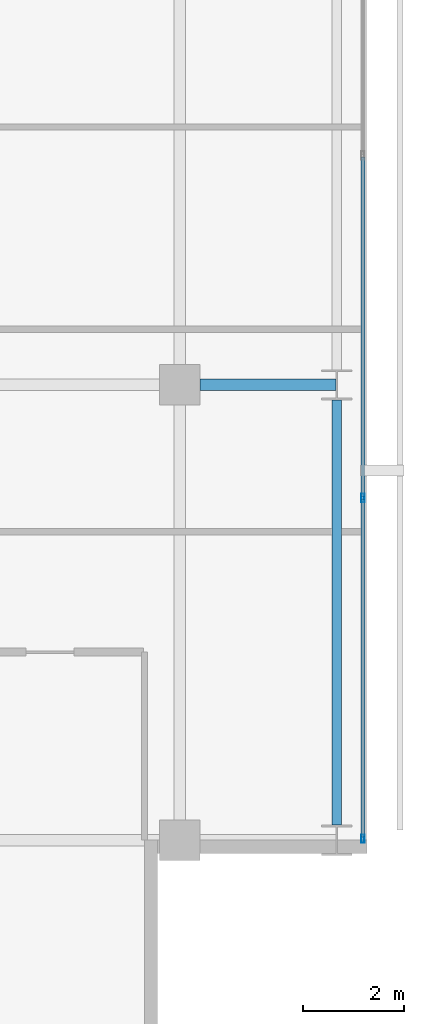
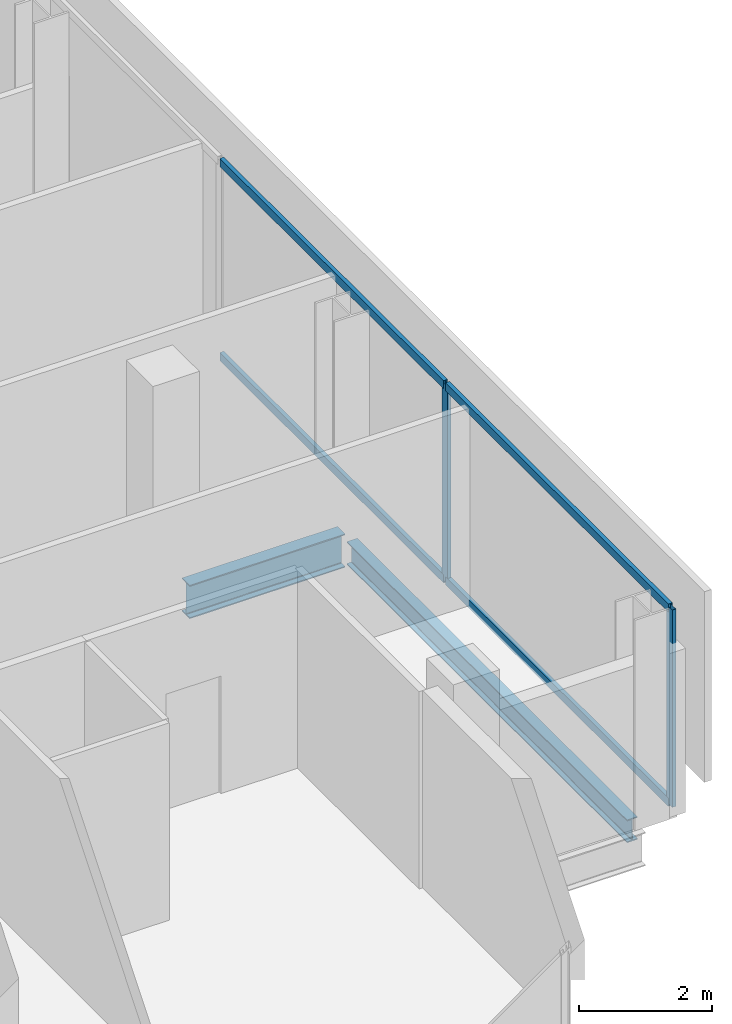
# One storey, part 15 of 34: 6 members, 2 beams, 1 element without a shape of its own.
"""IFC4 building model written with IfcOpenShell, lengths in metres."""

from ifc_helpers import new_model, si_unit, direction, frame, origin, origin_2d, place, context, subcontext, project, spatial, hollow_rectangle, i_section, extrude, material, layer, layer_set, material_profile, profile_set, type_object, element, aggregate, save


model = new_model("IFC4")

# Units and contexts
model_context = context("Model", 3, precision=1e-05, world=origin(), true_north=direction((0.0, 1.0)))
body_context = subcontext(model_context, "Body", "Model", "MODEL_VIEW")
ifc_project = project(units=[si_unit("LENGTHUNIT", "METRE"), si_unit("AREAUNIT", "SQUARE_METRE"), si_unit("VOLUMEUNIT", "CUBIC_METRE"), si_unit("PLANEANGLEUNIT", "RADIAN"), si_unit("MASSUNIT", "GRAM", prefix="KILO")], contexts=[model_context])

# Site, building, storey
site_placement = place(None, origin())
site = spatial("IfcSite", under=ifc_project, at=site_placement, CompositionType="ELEMENT")
building_placement = place(site_placement, origin())
building = spatial("IfcBuilding", under=site, at=building_placement, Name="Maruvema Waterfront Hotel and Observation Tower", CompositionType="ELEMENT")
storey_placement = place(building_placement, frame((0.0, 0.0, 135.10009765625)))
storey = spatial("IfcBuildingStorey", under=building, at=storey_placement, Name="L32", CompositionType="ELEMENT", Elevation=135.10009765625)

# Curtain wall, members
ifc_material_1 = material(Name="Anodised bronze aluminium and solar-control low-E IGU", Category="aluminium")
ifc_layer = layer(ifc_material_1, 0.159912109375, Name="Zone 2 Amber Inner Thermal Curtain Wall System CW-03")
ifc_layer_set = layer_set([ifc_layer], Name="Anodised bronze aluminium and solar-control low-E IGU")
curtain_wall_type = type_object("IfcCurtainWallType", Name="Zone 2 Amber Inner Thermal Curtain Wall System CW-03", PredefinedType="USERDEFINED", material=ifc_layer_set)
curtain_wall_placement = place(storey_placement, origin())
curtain_wall = element("IfcCurtainWall", 1, at=curtain_wall_placement, inside=storey, type_object=curtain_wall_type, Name="L32 Curtain Wall CW-L32-E", ObjectType="UNITISED CURTAIN WALL", PredefinedType="USERDEFINED")
ifc_material_2 = material(Name="Anodised architectural bronze aluminium", Category="aluminium")
ifc_material_profile_1 = material_profile(ifc_material_2, hollow_rectangle(XDim=0.070068359375, YDim=0.14990234375, WallThickness=0.00390625, at=origin_2d()), Name="ALU-T70x150")
ifc_profile_set_1 = profile_set([ifc_material_profile_1], Name="Anodised architectural bronze aluminium")
member_type_1 = type_object("IfcMemberType", Name="Curtain Wall Horizontal Transom ALU-T70x150", PredefinedType="USERDEFINED", material=ifc_profile_set_1)
member_1_placement = place(storey_placement, frame((62.419921875, 9.06005859375, 0.02978515625), z_axis=(0.0, 1.0, 0.0), x_axis=(-1.0, 0.0, 0.0)))
member_1 = element("IfcMember", 2, at=member_1_placement, type_object=member_type_1, Name="CW-03 transom 1.1", ObjectType="TRANSOM", PredefinedType="USERDEFINED", context=body_context, shape_type="SweptSolid", body=[
    extrude(hollow_rectangle(XDim=0.070068359375, YDim=0.14990234375, WallThickness=0.00390625, at=origin_2d()), origin(), (0.0, 0.0, 1.0), 6.676513671875),
])
member_2_placement = place(storey_placement, frame((62.419921875, 9.06005859375, 3.579833984375), z_axis=(0.0, 1.0, 0.0), x_axis=(-1.0, 0.0, 0.0)))
member_2 = element("IfcMember", 3, at=member_2_placement, type_object=member_type_1, Name="CW-03 transom 1.2", ObjectType="TRANSOM", PredefinedType="USERDEFINED", context=body_context, shape_type="SweptSolid", body=[
    extrude(hollow_rectangle(XDim=0.070068359375, YDim=0.14990234375, WallThickness=0.00390625, at=origin_2d()), origin(), (0.0, 0.0, 1.0), 6.676513671875),
])
member_3_placement = place(storey_placement, frame((62.419921875, 15.796630859375, 0.02978515625), z_axis=(0.0, 1.0, 0.0), x_axis=(-1.0, 0.0, 0.0)))
member_3 = element("IfcMember", 4, at=member_3_placement, type_object=member_type_1, Name="CW-03 transom 2.1", ObjectType="TRANSOM", PredefinedType="USERDEFINED", context=body_context, shape_type="SweptSolid", body=[
    extrude(hollow_rectangle(XDim=0.070068359375, YDim=0.14990234375, WallThickness=0.00390625, at=origin_2d()), origin(), (0.0, 0.0, 1.0), 6.706787109375),
])
member_4_placement = place(storey_placement, frame((62.419921875, 15.796630859375, 3.579833984375), z_axis=(0.0, 1.0, 0.0), x_axis=(-1.0, 0.0, 0.0)))
member_4 = element("IfcMember", 5, at=member_4_placement, type_object=member_type_1, Name="CW-03 transom 2.2", ObjectType="TRANSOM", PredefinedType="USERDEFINED", context=body_context, shape_type="SweptSolid", body=[
    extrude(hollow_rectangle(XDim=0.070068359375, YDim=0.14990234375, WallThickness=0.00390625, at=origin_2d()), origin(), (0.0, 0.0, 1.0), 6.706787109375),
])
ifc_material_3 = material(Name="Anodised architectural bronze aluminium", Category="aluminium")
ifc_material_profile_2 = material_profile(ifc_material_3, hollow_rectangle(XDim=0.06494140625, YDim=0.1650390625, WallThickness=0.00390625, at=origin_2d()), Name="ALU-M65x165")
ifc_profile_set_2 = profile_set([ifc_material_profile_2], Name="Anodised architectural bronze aluminium")
member_type_2 = type_object("IfcMemberType", Name="Curtain Wall Primary Mullion ALU-M65x165", PredefinedType="MULLION", material=ifc_profile_set_2)
member_5_placement = place(storey_placement, frame((62.419921875, 9.030029296875, 0.0), z_axis=(0.0, 0.0, 1.0), x_axis=(-1.0, 0.0, 0.0)))
member_5 = element("IfcMember", 6, at=member_5_placement, type_object=member_type_2, Name="CW-03 mullion 1", PredefinedType="MULLION", context=body_context, shape_type="SweptSolid", body=[
    extrude(hollow_rectangle(XDim=0.06494140625, YDim=0.1650390625, WallThickness=0.00390625, at=origin_2d()), origin(), (0.0, 0.0, 1.0), 3.60986328125),
])
member_6_placement = place(storey_placement, frame((62.419921875, 15.7666015625, 0.0), z_axis=(0.0, 0.0, 1.0), x_axis=(-1.0, 0.0, 0.0)))
member_6 = element("IfcMember", 7, at=member_6_placement, type_object=member_type_2, Name="CW-03 mullion 2", PredefinedType="MULLION", context=body_context, shape_type="SweptSolid", body=[
    extrude(hollow_rectangle(XDim=0.06494140625, YDim=0.1650390625, WallThickness=0.00390625, at=origin_2d()), origin(), (0.0, 0.0, 1.0), 3.60986328125),
])
aggregate(curtain_wall, [member_5, member_6, member_1, member_2, member_3, member_4])

# Beams
ifc_material_4 = material(Name="Steel ASTM A572 Grade 50", Category="steel")
ifc_material_profile_3 = material_profile(ifc_material_4, i_section(OverallWidth=0.180908203125, OverallDepth=0.4169921875, WebThickness=0.010986328125, FlangeThickness=0.018310546875, FilletRadius=0.014892578125, at=origin_2d()), Name="W410x85.0")
ifc_profile_set_3 = profile_set([ifc_material_profile_3], Name="Steel ASTM A572 Grade 50")
beam_type_1 = type_object("IfcBeamType", Name="Perimeter Spandrel Beam W410x85.0", PredefinedType="SPANDREL", material=ifc_profile_set_3)
beam_1_placement = place(storey_placement, frame((61.89990234375, 9.300048828125, -0.448486328125), z_axis=(0.0, 1.0, 0.0), x_axis=(-1.0, 0.0, 0.0)))
element("IfcBeam", 8, at=beam_1_placement, inside=storey, type_object=beam_type_1, Name="L32 Floor Girder NS-29", PredefinedType="SPANDREL", context=body_context, shape_type="SweptSolid", body=[
    extrude(i_section(OverallWidth=0.180908203125, OverallDepth=0.4169921875, WebThickness=0.010986328125, FlangeThickness=0.018310546875, FilletRadius=0.014892578125, at=origin_2d()), origin(), (0.0, 0.0, 1.0), 8.39990234375),
])
ifc_material_5 = material(Name="Steel ASTM A572 Grade 50", Category="steel")
ifc_material_profile_4 = material_profile(ifc_material_5, i_section(OverallWidth=0.22900390625, OverallDepth=0.612060546875, WebThickness=0.011962890625, FlangeThickness=0.01953125, FilletRadius=0.01806640625, at=origin_2d()), Name="W610x125.0")
ifc_profile_set_4 = profile_set([ifc_material_profile_4], Name="Steel ASTM A572 Grade 50")
beam_type_2 = type_object("IfcBeamType", Name="Primary Floor Girder W610x125.0", PredefinedType="BEAM", material=ifc_profile_set_4)
beam_2_placement = place(storey_placement, frame((59.199951171875, 18.0, -0.546142578125), z_axis=(1.0, 0.0, 0.0), x_axis=(0.0, 1.0, 0.0)))
element("IfcBeam", 9, at=beam_2_placement, inside=storey, type_object=beam_type_2, Name="L32 Floor Girder EW-17", PredefinedType="BEAM", context=body_context, shape_type="SweptSolid", body=[
    extrude(i_section(OverallWidth=0.22900390625, OverallDepth=0.612060546875, WebThickness=0.011962890625, FlangeThickness=0.01953125, FilletRadius=0.01806640625, at=origin_2d()), origin(), (0.0, 0.0, 1.0), 2.6875),
])

save(model, "model.ifc")
